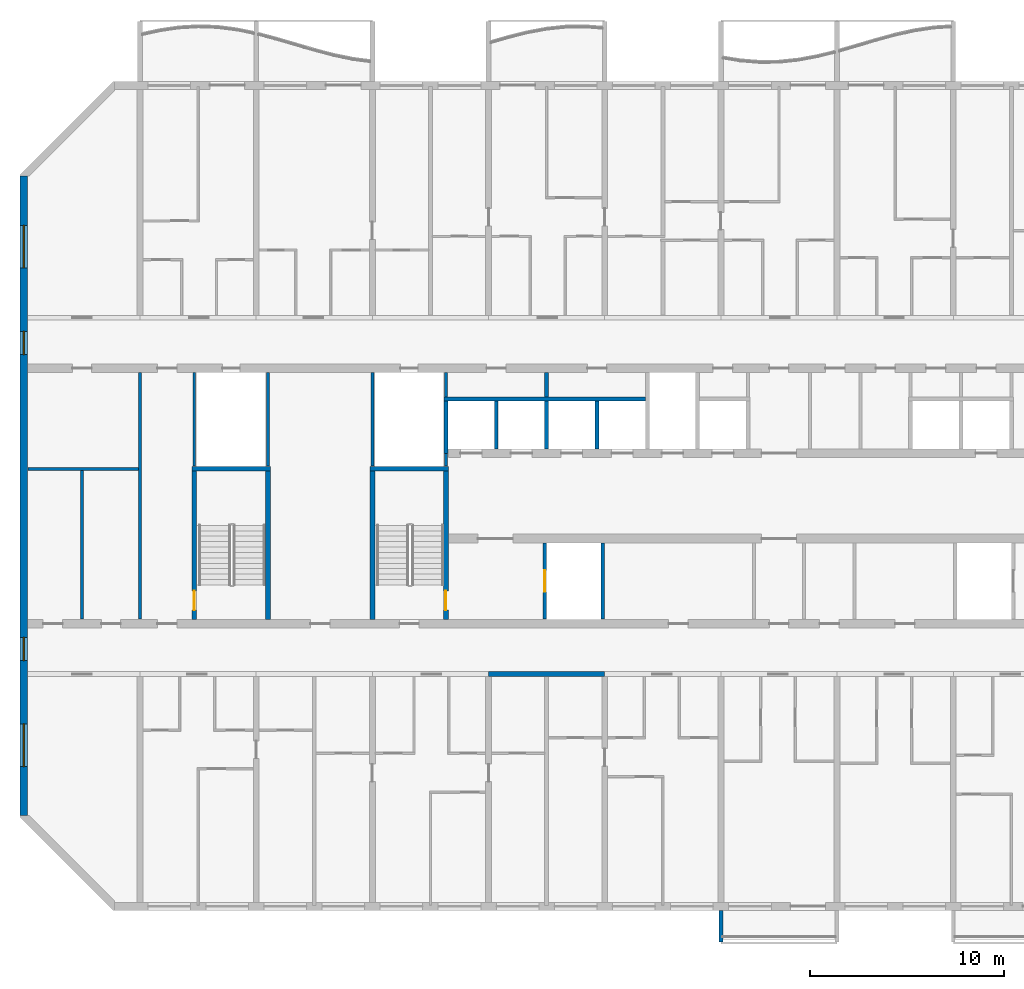
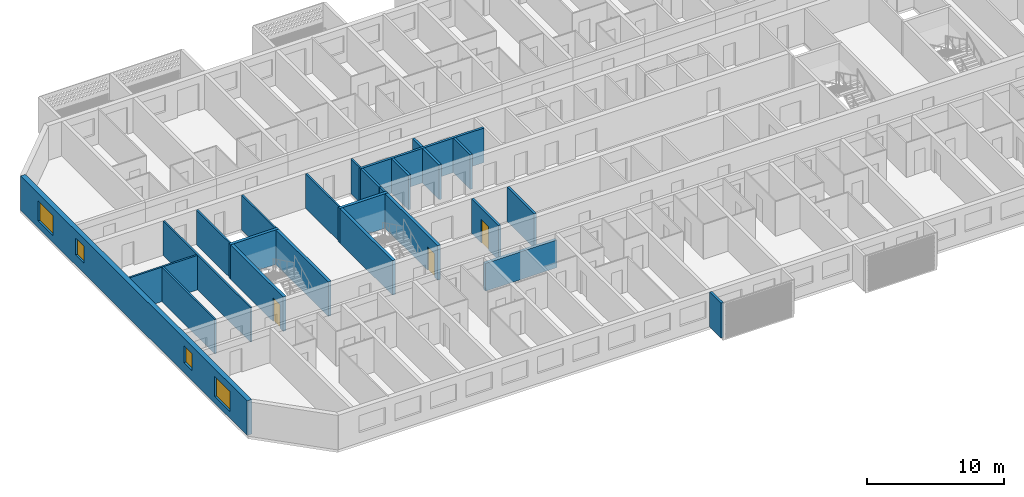
# One storey, part 3 of 31: 25 walls, 4 windows, 3 doors, 7 openings.
"""IFC4 building model written with IfcOpenShell, lengths in metres."""

import ifcopenshell
import ifcopenshell.guid

model = None  # the IFC model being written
_history = None  # IfcOwnerHistory: only IFC2X3 demands one
_inside = {}  # id of a spatial element -> (the spatial element, [elements in it])
_under = {}  # id of a project, library or spatial element -> (it, [spatial elements below it])
_declared = {}  # id of a project -> (the project, [libraries it declares])
_typed = {}  # id of a type object -> (the type object, [elements of that type])
_made_of = {}  # id of a material, layer set ... -> (it, [elements and type objects made of it])


def new_model(schema):
    """Start an empty IFC model of exactly this schema.

    Asked for "IFC4X3", IfcOpenShell would pick the latest addendum, in which some entities
    have other attributes; the version numbers below select the first issue.
    IFC2X3 requires an IfcOwnerHistory on every rooted entity: one is made here for all.
    """
    global model, _history
    if schema == "IFC4X3":
        model = ifcopenshell.file(schema_version=(4, 3, 0, 0))
    else:
        model = ifcopenshell.file(schema=schema)
    _inside.clear()
    _under.clear()
    _declared.clear()
    _typed.clear()
    _made_of.clear()
    _history = None
    if model.schema == "IFC2X3":
        org = make("IfcOrganization", Name="unknown")
        user = make(
            "IfcPersonAndOrganization",
            ThePerson=make("IfcPerson", FamilyName="unknown"),
            TheOrganization=org,
        )
        app = make(
            "IfcApplication",
            ApplicationDeveloper=org,
            Version="unknown",
            ApplicationFullName="unknown",
            ApplicationIdentifier="unknown",
        )
        _history = make(
            "IfcOwnerHistory",
            OwningUser=user,
            OwningApplication=app,
            ChangeAction="ADDED",
            CreationDate=0,
        )
    return model


def make(cls, **values):
    """One entity of the class cls with the attributes given. An attribute that is None is left unset."""
    return model.create_entity(
        cls, **{name: value for name, value in values.items() if value is not None}
    )


def rooted(cls, **values):
    """An entity with a GlobalId (a new one), such as an element, a storey or a relation."""
    return make(cls, GlobalId=ifcopenshell.guid.new(), OwnerHistory=_history, **values)


def si_unit(unit_type, name, prefix=None):
    """IfcSIUnit, for example si_unit("LENGTHUNIT", "METRE", prefix="MILLI")."""
    return make("IfcSIUnit", UnitType=unit_type, Prefix=prefix, Name=name)


def assignment(units):
    """IfcUnitAssignment: the units of a project."""
    return None if units is None else make("IfcUnitAssignment", Units=units)


def point(xyz):
    """IfcCartesianPoint."""
    return None if xyz is None else make("IfcCartesianPoint", Coordinates=xyz)


def direction(xyz):
    """IfcDirection."""
    return None if xyz is None else make("IfcDirection", DirectionRatios=xyz)


def frame(location, z_axis=None, x_axis=None):
    """IfcAxis2Placement3D, a coordinate frame: its origin and axes. An axis left out is left unset."""
    return make(
        "IfcAxis2Placement3D",
        Location=point(location),
        Axis=direction(z_axis),
        RefDirection=direction(x_axis),
    )


def frame_2d(location, x_axis=None):
    """IfcAxis2Placement2D, a coordinate frame in the plane: its origin and x axis."""
    return make(
        "IfcAxis2Placement2D", Location=point(location), RefDirection=direction(x_axis)
    )


def origin():
    """The frame at (0, 0, 0) with its axes left unset."""
    return frame((0.0, 0.0, 0.0))


def place(relative_to, where):
    """IfcLocalPlacement: puts the frame where relative to a parent placement (None: the world)."""
    return make(
        "IfcLocalPlacement", PlacementRelTo=relative_to, RelativePlacement=where
    )


def context(
    kind, dimensions, precision=None, world=None, true_north=None, identifier=None
):
    """IfcGeometricRepresentationContext, for example the 3D "Model" context."""
    return make(
        "IfcGeometricRepresentationContext",
        ContextIdentifier=identifier,
        ContextType=kind,
        CoordinateSpaceDimension=dimensions,
        Precision=precision,
        WorldCoordinateSystem=world,
        TrueNorth=true_north,
    )


def subcontext(parent, identifier, kind, view, scale=None):
    """IfcGeometricRepresentationSubContext, for example "Body" below "Model"."""
    return make(
        "IfcGeometricRepresentationSubContext",
        ContextIdentifier=identifier,
        ContextType=kind,
        ParentContext=parent,
        TargetScale=scale,
        TargetView=view,
    )


def project(units=None, contexts=None):
    """IfcProject with its units and contexts."""
    return rooted(
        "IfcProject",
        Name="project",
        RepresentationContexts=contexts,
        UnitsInContext=assignment(units),
    )


def spatial(cls, under=None, at=None, **own):
    """A site, building, storey or space (cls), placed at a placement, below another one or the project."""
    s = rooted(cls, ObjectPlacement=at, **own)
    if under is not None:
        _under.setdefault(under.id(), (under, []))[1].append(s)
    return s


def polyline(points):
    """IfcPolyline through the points."""
    return make("IfcPolyline", Points=[point(p) for p in points])


def profile(cls, at=None, kind="AREA", **sizes):
    """A parametric profile (cls). Its sizes go by their IFC names, for example OverallWidth=200.0."""
    return make(cls, ProfileType=kind, Position=at, **sizes)


def rectangle(**sizes):
    """IfcRectangleProfileDef."""
    return profile("IfcRectangleProfileDef", **sizes)


def outline(outer, holes=None, kind="AREA"):
    """IfcArbitraryClosedProfileDef: a profile drawn as a closed curve; with holes, ...WithVoids."""
    if holes is None:
        return make("IfcArbitraryClosedProfileDef", ProfileType=kind, OuterCurve=outer)
    return make(
        "IfcArbitraryProfileDefWithVoids",
        ProfileType=kind,
        OuterCurve=outer,
        InnerCurves=holes,
    )


def extrude(swept, where, along, depth):
    """IfcExtrudedAreaSolid: the profile swept, set in the frame where, extruded along a direction by depth."""
    return make(
        "IfcExtrudedAreaSolid",
        SweptArea=swept,
        Position=where,
        ExtrudedDirection=direction(along),
        Depth=depth,
    )


def shape(context_of_items, identifier, shape_type, items):
    """IfcShapeRepresentation: the items that make up one representation, for example the "Body"."""
    return make(
        "IfcShapeRepresentation",
        ContextOfItems=context_of_items,
        RepresentationIdentifier=identifier,
        RepresentationType=shape_type,
        Items=items,
    )


def source(mapping_origin, context_of_items, identifier, shape_type, items):
    """IfcRepresentationMap: a shape defined once, which mapped items show again and again."""
    return make(
        "IfcRepresentationMap",
        MappingOrigin=mapping_origin,
        MappedRepresentation=shape(context_of_items, identifier, shape_type, items),
    )


def transform(
    local_origin,
    x_axis=None,
    y_axis=None,
    z_axis=None,
    scale=None,
    scale2=None,
    scale3=None,
    uniform=True,
):
    """IfcCartesianTransformationOperator3D, or its non-uniform kind. x_axis, y_axis, z_axis: its Axis1, 2, 3."""
    if uniform:
        return make(
            "IfcCartesianTransformationOperator3D",
            Axis1=direction(x_axis),
            Axis2=direction(y_axis),
            LocalOrigin=point(local_origin),
            Scale=scale,
            Axis3=direction(z_axis),
        )
    return make(
        "IfcCartesianTransformationOperator3DnonUniform",
        Axis1=direction(x_axis),
        Axis2=direction(y_axis),
        LocalOrigin=point(local_origin),
        Scale=scale,
        Axis3=direction(z_axis),
        Scale2=scale2,
        Scale3=scale3,
    )


def mapped(mapping_source, mapping_target):
    """IfcMappedItem: shows the shape of a source again, moved by a transform."""
    return make(
        "IfcMappedItem", MappingSource=mapping_source, MappingTarget=mapping_target
    )


def material(Name=None, Category=None):
    """IfcMaterial."""
    return make("IfcMaterial", Name=Name, Category=Category)


def layer(
    of_material, thickness, ventilated=None, Name=None, Category=None, Priority=None
):
    """IfcMaterialLayer: one layer of a wall or slab, of a material (None: an air gap)."""
    return make(
        "IfcMaterialLayer",
        Material=of_material,
        LayerThickness=thickness,
        IsVentilated=ventilated,
        Name=Name,
        Category=Category,
        Priority=Priority,
    )


def layer_set(layers, Name=None):
    """IfcMaterialLayerSet."""
    return make("IfcMaterialLayerSet", MaterialLayers=layers, LayerSetName=Name)


def made_of(thing, what):
    """Note that an element or type object is made of a material, layer set ...; save() writes the relation."""
    if what is not None:
        _made_of.setdefault(what.id(), (what, []))[1].append(thing)
    return thing


def type_object(cls, material=None, **own):
    """A type object (cls), such as IfcWallType, which elements share."""
    return made_of(rooted(cls, **own), material)


def element(
    cls,
    number,
    at=None,
    inside=None,
    cuts=None,
    type_object=None,
    material=None,
    context=None,
    identifier="Body",
    shape_type=None,
    held_by="IfcProductDefinitionShape",
    body=None,
    shapes=None,
    **own,
):
    """One element of the class cls, such as IfcWall. Its Tag is "e" and its number.

    at: its placement. inside: the storey or other place that contains it. cuts: it is an
    opening in that element (IfcRelVoidsElement). A single representation is given by context,
    identifier, shape_type and body (its items); several are given by shapes. held_by: the class
    of the entity that holds the representations. save() writes the other relations.
    """
    e = rooted(cls, Tag="e%d" % number, ObjectPlacement=at, **own)
    if body is not None:
        shapes = [shape(context, identifier, shape_type, body)]
    if shapes is not None:
        e.Representation = make(held_by, Representations=shapes)
    if inside is not None:
        _inside.setdefault(inside.id(), (inside, []))[1].append(e)
    if cuts is not None:
        rooted(
            "IfcRelVoidsElement", RelatingBuildingElement=cuts, RelatedOpeningElement=e
        )
    if type_object is not None:
        _typed.setdefault(type_object.id(), (type_object, []))[1].append(e)
    return made_of(e, material)


def fill(opening, filler):
    """IfcRelFillsElement: the door or window that sits in an opening."""
    return rooted(
        "IfcRelFillsElement",
        RelatingOpeningElement=opening,
        RelatedBuildingElement=filler,
    )


def aggregate(whole, parts):
    """IfcRelAggregates: a whole, such as a stair, and the parts it consists of."""
    return rooted("IfcRelAggregates", RelatingObject=whole, RelatedObjects=parts)


def save(model, path):
    """Write the relations noted so far, then the file.

    IfcRelAggregates (storeys below a building ...), IfcRelContainedInSpatialStructure (elements
    in a storey), IfcRelDefinesByType, IfcRelAssociatesMaterial and IfcRelDeclares: one each for
    every whole, place, type object, material and project.
    """
    for whole, parts in _under.values():
        aggregate(whole, parts)
    for where, things in _inside.values():
        rooted(
            "IfcRelContainedInSpatialStructure",
            RelatedElements=things,
            RelatingStructure=where,
        )
    for kind, things in _typed.values():
        rooted("IfcRelDefinesByType", RelatedObjects=things, RelatingType=kind)
    for what, things in _made_of.values():
        rooted("IfcRelAssociatesMaterial", RelatedObjects=things, RelatingMaterial=what)
    for by, libraries in _declared.values():
        rooted("IfcRelDeclares", RelatingContext=by, RelatedDefinitions=libraries)
    model.write(path)


model = new_model("IFC4")

# Units and contexts
model_context = context("Model", 3, precision=1e-05, world=origin(), true_north=direction((0.0, 1.0)))
body_context = subcontext(model_context, "Body", "Model", "MODEL_VIEW")
ifc_project = project(units=[si_unit("LENGTHUNIT", "METRE"), si_unit("AREAUNIT", "SQUARE_METRE"), si_unit("VOLUMEUNIT", "CUBIC_METRE"), si_unit("PLANEANGLEUNIT", "RADIAN"), si_unit("MASSUNIT", "GRAM", prefix="KILO")], contexts=[model_context])

# Site, building, storey
site_placement = place(None, origin())
site = spatial("IfcSite", under=ifc_project, at=site_placement, CompositionType="ELEMENT")
building_placement = place(site_placement, origin())
building = spatial("IfcBuilding", under=site, at=building_placement, Name="Poui Terraces", CompositionType="ELEMENT")
storey_placement = place(building_placement, frame((0.0, 0.0, 142.199951171875)))
storey = spatial("IfcBuildingStorey", under=building, at=storey_placement, Name="L39", CompositionType="ELEMENT", Elevation=142.199951171875)

# Walls
ifc_material_1 = material(Name="Fire-rated plasterboard wall")
ifc_layer_1 = layer(ifc_material_1, 0.14990234375)
ifc_layer_set_1 = layer_set([ifc_layer_1], Name="Fire-rated plasterboard wall")
wall_type_1 = type_object("IfcWallType", Name="CORRIDOR WALL 150", PredefinedType="PARTITIONING", material=ifc_layer_set_1)
wall_1_placement = place(storey_placement, frame((18.0, 14.8349609375, 0.0), z_axis=(0.0, 0.0, 1.0), x_axis=(0.0, 1.0, 0.0)))
element("IfcWall", 1, at=wall_1_placement, inside=storey, type_object=wall_type_1, Name="CORRIDOR WALL 150", PredefinedType="PARTITIONING", context=body_context, shape_type="SweptSolid", body=[
    extrude(rectangle(XDim=12.72998046875, YDim=0.14990234375, at=frame_2d((6.364990234375, 0.0))), origin(), (0.0, 0.0, 1.0), 3.070068359375),
])
ifc_material_2 = material(Name="Concrete 65 MPa", Category="concrete")
ifc_layer_2 = layer(ifc_material_2, 0.25)
ifc_layer_set_2 = layer_set([ifc_layer_2], Name="Concrete 65 MPa")
wall_type_2 = type_object("IfcWallType", Name="CORRIDOR WALL 250 65MPa", PredefinedType="SHEAR", material=ifc_layer_set_2)
wall_2_placement = place(storey_placement, frame((36.0, 12.0, 0.0), z_axis=(0.0, 0.0, 1.0), x_axis=(1.0, 0.0, 0.0)))
element("IfcWall", 2, at=wall_2_placement, inside=storey, type_object=wall_type_2, Name="CORRIDOR WALL LINE B BAY 5", PredefinedType="SHEAR", context=body_context, shape_type="SweptSolid", body=[
    extrude(rectangle(XDim=6.0, YDim=0.25, at=frame_2d((3.0, 0.0))), origin(), (0.0, 0.0, 1.0), 2.469970703125),
])

# Wall, openings, windows
ifc_layer_3 = layer(ifc_material_2, 0.39990234375)
ifc_layer_set_3 = layer_set([ifc_layer_3], Name="Concrete 65 MPa")
wall_type_3 = type_object("IfcWallType", Name="END WALL 400 65MPa", PredefinedType="SHEAR", material=ifc_layer_set_3)
wall_3_placement = place(storey_placement, frame((12.0, 4.682861328125, 0.0), z_axis=(0.0, 0.0, 1.0), x_axis=(0.0, 1.0, 0.0)))
wall_3 = element("IfcWall", 3, at=wall_3_placement, inside=storey, type_object=wall_type_3, Name="END WALL WEST", PredefinedType="SHEAR", context=body_context, shape_type="SweptSolid", body=[
    extrude(rectangle(XDim=33.034423828125, YDim=0.39990234375, at=frame_2d((16.51708984375, 0.0))), origin(), (0.0, 0.0, 1.0), 3.070068359375),
])
opening_1_placement = place(wall_3_placement, frame((23.817138671875, 0.0, 0.89990234375)))
opening_1 = element("IfcOpeningElement", 4, at=opening_1_placement, cuts=wall_3, Name="Opening W2", PredefinedType="OPENING", context=body_context, shape_type="SweptSolid", body=[
    extrude(rectangle(XDim=1.199951171875, YDim=1.5, at=frame_2d((0.60009765625, 0.75))), frame((0.0, 0.2099609375, 0.0), z_axis=(0.0, -1.0, 0.0), x_axis=(1.0, 0.0, 0.0)), (0.0, 0.0, 1.0), 0.419921875),
])
opening_2_placement = place(wall_3_placement, frame((8.01708984375, 0.0, 0.89990234375)))
opening_2 = element("IfcOpeningElement", 5, at=opening_2_placement, cuts=wall_3, Name="Opening W2", PredefinedType="OPENING", context=body_context, shape_type="SweptSolid", body=[
    extrude(rectangle(XDim=1.199951171875, YDim=1.5, at=frame_2d((0.60009765625, 0.75))), frame((0.0, 0.2099609375, 0.0), z_axis=(0.0, -1.0, 0.0), x_axis=(1.0, 0.0, 0.0)), (0.0, 0.0, 1.0), 0.419921875),
])
opening_3_placement = place(wall_3_placement, frame((28.29345703125, 0.0, 0.60009765625)))
opening_3 = element("IfcOpeningElement", 6, at=opening_3_placement, cuts=wall_3, Name="Opening W3", PredefinedType="OPENING", context=body_context, shape_type="SweptSolid", body=[
    extrude(rectangle(XDim=2.199951171875, YDim=1.800048828125, at=frame_2d((1.10009765625, 0.89990234375))), frame((0.0, 0.2099609375, 0.0), z_axis=(0.0, -1.0, 0.0), x_axis=(1.0, 0.0, 0.0)), (0.0, 0.0, 1.0), 0.419921875),
])
opening_4_placement = place(wall_3_placement, frame((2.541015625, 0.0, 0.60009765625)))
opening_4 = element("IfcOpeningElement", 7, at=opening_4_placement, cuts=wall_3, Name="Opening W3", PredefinedType="OPENING", context=body_context, shape_type="SweptSolid", body=[
    extrude(rectangle(XDim=2.199951171875, YDim=1.800048828125, at=frame_2d((1.10009765625, 0.89990234375))), frame((0.0, 0.2099609375, 0.0), z_axis=(0.0, -1.0, 0.0), x_axis=(1.0, 0.0, 0.0)), (0.0, 0.0, 1.0), 0.419921875),
])
ifc_material_3 = material(Name="Clear glass in aluminium frame", Category="aluminium")
window_type_1 = type_object("IfcWindowType", Name="WINDOW 1200X1500", PartitioningType="SINGLE_PANEL", PredefinedType="WINDOW", material=ifc_material_3)
window_1_placement = place(opening_1_placement, origin())
window_1 = element("IfcWindow", 8, at=window_1_placement, inside=storey, type_object=window_type_1, Name="W2 WINDOW", OverallHeight=1.5, OverallWidth=1.199951171875, PartitioningType="SINGLE_PANEL", PredefinedType="WINDOW", context=body_context, shape_type="SweptSolid", body=[
    extrude(rectangle(XDim=1.199951171875, YDim=1.5, at=frame_2d((0.60009765625, 0.75))), frame((0.0, 0.030029296875, 0.0), z_axis=(0.0, -1.0, 0.0), x_axis=(1.0, 0.0, 0.0)), (0.0, 0.0, 1.0), 0.06005859375),
])
fill(opening_1, window_1)
window_2_placement = place(opening_2_placement, origin())
window_2 = element("IfcWindow", 9, at=window_2_placement, inside=storey, type_object=window_type_1, Name="W2 WINDOW", OverallHeight=1.5, OverallWidth=1.199951171875, PartitioningType="SINGLE_PANEL", PredefinedType="WINDOW", context=body_context, shape_type="SweptSolid", body=[
    extrude(rectangle(XDim=1.199951171875, YDim=1.5, at=frame_2d((0.60009765625, 0.75))), frame((0.0, 0.030029296875, 0.0), z_axis=(0.0, -1.0, 0.0), x_axis=(1.0, 0.0, 0.0)), (0.0, 0.0, 1.0), 0.06005859375),
])
fill(opening_2, window_2)
window_type_2 = type_object("IfcWindowType", Name="WINDOW 2200X1800", PartitioningType="DOUBLE_PANEL_HORIZONTAL", PredefinedType="WINDOW", material=ifc_material_3)
window_3_placement = place(opening_3_placement, origin())
window_3 = element("IfcWindow", 10, at=window_3_placement, inside=storey, type_object=window_type_2, Name="W3 WINDOW", OverallHeight=1.800048828125, OverallWidth=2.199951171875, PartitioningType="DOUBLE_PANEL_HORIZONTAL", PredefinedType="WINDOW", context=body_context, shape_type="SweptSolid", body=[
    extrude(rectangle(XDim=2.199951171875, YDim=1.800048828125, at=frame_2d((1.10009765625, 0.89990234375))), frame((0.0, 0.030029296875, 0.0), z_axis=(0.0, -1.0, 0.0), x_axis=(1.0, 0.0, 0.0)), (0.0, 0.0, 1.0), 0.06005859375),
])
fill(opening_3, window_3)
window_4_placement = place(opening_4_placement, origin())
window_4 = element("IfcWindow", 11, at=window_4_placement, inside=storey, type_object=window_type_2, Name="W3 WINDOW", OverallHeight=1.800048828125, OverallWidth=2.199951171875, PartitioningType="DOUBLE_PANEL_HORIZONTAL", PredefinedType="WINDOW", context=body_context, shape_type="SweptSolid", body=[
    extrude(rectangle(XDim=2.199951171875, YDim=1.800048828125, at=frame_2d((1.10009765625, 0.89990234375))), frame((0.0, 0.030029296875, 0.0), z_axis=(0.0, -1.0, 0.0), x_axis=(1.0, 0.0, 0.0)), (0.0, 0.0, 1.0), 0.06005859375),
])
fill(opening_4, window_4)

# Walls
ifc_material_4 = material(Name="Plasterboard partition")
ifc_layer_4 = layer(ifc_material_4, 0.14990234375)
ifc_layer_set_4 = layer_set([ifc_layer_4], Name="Plasterboard partition")
wall_type_4 = type_object("IfcWallType", Name="PARTITION WALL 150", PredefinedType="PARTITIONING", material=ifc_layer_set_4)
wall_4_placement = place(storey_placement, frame((12.2099609375, 22.60009765625, 0.0), z_axis=(0.0, 0.0, 1.0), x_axis=(1.0, 0.0, 0.0)))
element("IfcWall", 12, at=wall_4_placement, inside=storey, type_object=wall_type_4, Name="PARTITION WALL 150", PredefinedType="PARTITIONING", context=body_context, shape_type="SweptSolid", body=[
    extrude(rectangle(XDim=5.715087890625, YDim=0.14990234375, at=frame_2d((2.857421875, 0.0))), origin(), (0.0, 0.0, 1.0), 3.070068359375),
])
wall_5_placement = place(storey_placement, frame((15.0, 14.8349609375, 0.0), z_axis=(0.0, 0.0, 1.0), x_axis=(0.0, 1.0, 0.0)))
element("IfcWall", 13, at=wall_5_placement, inside=storey, type_object=wall_type_4, Name="PARTITION WALL 150", PredefinedType="PARTITIONING", context=body_context, shape_type="SweptSolid", body=[
    extrude(rectangle(XDim=7.68994140625, YDim=0.14990234375, at=frame_2d((3.844970703125, 0.0))), origin(), (0.0, 0.0, 1.0), 3.070068359375),
])
ifc_material_5 = material(Name="Fire-rated masonry wall", Category="masonry")
ifc_layer_5 = layer(ifc_material_5, 0.199951171875)
ifc_layer_set_5 = layer_set([ifc_layer_5], Name="Fire-rated masonry wall")
wall_type_5 = type_object("IfcWallType", Name="PLANT ROOM WALL 200", PredefinedType="PARTITIONING", material=ifc_layer_set_5)
wall_6_placement = place(storey_placement, frame((39.0, 26.300048828125, 0.0), z_axis=(0.0, 0.0, 1.0), x_axis=(0.0, 1.0, 0.0)))
element("IfcWall", 14, at=wall_6_placement, inside=storey, type_object=wall_type_5, Name="PLANT ROOM WALL 200", PredefinedType="PARTITIONING", context=body_context, shape_type="SweptSolid", body=[
    extrude(rectangle(XDim=1.264892578125, YDim=0.199951171875, at=frame_2d((0.63232421875, 0.0))), origin(), (0.0, 0.0, 1.0), 3.070068359375),
])
ifc_material_6 = material(Name="Fire-rated plasterboard riser wall")
ifc_layer_6 = layer(ifc_material_6, 0.14990234375)
ifc_layer_set_6 = layer_set([ifc_layer_6], Name="Fire-rated plasterboard riser wall")
wall_type_6 = type_object("IfcWallType", Name="RISER WALL 150", PredefinedType="PARTITIONING", material=ifc_layer_set_6)
for number, where, z_axis, x_axis, name in (
    (15, (20.800048828125, 22.735107421875, 0.0), (0.0, 0.0, 1.0), (0.0, 1.0, 0.0), "RISER WALL 150"),
    (16, (24.60009765625, 22.735107421875, 0.0), (0.0, 0.0, 1.0), (0.0, 1.0, 0.0), "RISER WALL 150"),
    (17, (30.0, 22.735107421875, 0.0), (0.0, 0.0, 1.0), (0.0, 1.0, 0.0), "RISER WALL 150"),
):
    element("IfcWall", number, at=place(storey_placement, frame(where, z_axis=z_axis, x_axis=x_axis)), inside=storey, type_object=wall_type_6, Name=name, PredefinedType="PARTITIONING", context=body_context, shape_type="SweptSolid", body=[
        extrude(rectangle(XDim=4.829833984375, YDim=0.14990234375, at=frame_2d((2.4150390625, 0.0))), origin(), (0.0, 0.0, 1.0), 3.070068359375),
    ])
wall_7_placement = place(storey_placement, frame((33.800048828125, 22.735107421875, 0.0), z_axis=(0.0, 0.0, 1.0), x_axis=(0.0, 1.0, 0.0)))
element("IfcWall", 18, at=wall_7_placement, inside=storey, type_object=wall_type_6, Name="RISER WALL 150", PredefinedType="PARTITIONING", context=body_context, shape_type="SweptSolid", body=[
    extrude(rectangle(XDim=0.664794921875, YDim=0.14990234375, at=frame_2d((0.33251953125, 0.0))), origin(), (0.0, 0.0, 1.0), 3.070068359375),
])
wall_8_placement = place(storey_placement, frame((33.800048828125, 26.300048828125, 0.0), z_axis=(0.0, 0.0, 1.0), x_axis=(0.0, 1.0, 0.0)))
element("IfcWall", 19, at=wall_8_placement, inside=storey, type_object=wall_type_6, Name="RISER WALL 150", PredefinedType="PARTITIONING", context=body_context, shape_type="SweptSolid", body=[
    extrude(rectangle(XDim=1.264892578125, YDim=0.14990234375, at=frame_2d((0.63232421875, 0.0))), origin(), (0.0, 0.0, 1.0), 3.070068359375),
])
ifc_material_7 = material(Name="Fire-rated masonry shaft wall", Category="masonry")
ifc_layer_7 = layer(ifc_material_7, 0.199951171875)
ifc_layer_set_7 = layer_set([ifc_layer_7], Name="Fire-rated masonry shaft wall")
wall_type_7 = type_object("IfcWallType", Name="SHAFT WALL 200", PredefinedType="PARTITIONING", material=ifc_layer_set_7)
wall_9_placement = place(storey_placement, frame((33.699951171875, 26.199951171875, 0.0), z_axis=(0.0, 0.0, 1.0), x_axis=(1.0, 0.0, 0.0)))
element("IfcWall", 20, at=wall_9_placement, inside=storey, type_object=wall_type_7, Name="SHAFT WALL 200", PredefinedType="PARTITIONING", context=body_context, shape_type="SweptSolid", body=[
    extrude(rectangle(XDim=10.400146484375, YDim=0.199951171875, at=frame_2d((5.2001953125, 0.0))), origin(), (0.0, 0.0, 1.0), 3.070068359375),
])
wall_10_placement = place(storey_placement, frame((33.800048828125, 23.39990234375, 0.0), z_axis=(0.0, 0.0, 1.0), x_axis=(0.0, 1.0, 0.0)))
element("IfcWall", 21, at=wall_10_placement, inside=storey, type_object=wall_type_7, Name="SHAFT WALL 200", PredefinedType="PARTITIONING", context=body_context, shape_type="SweptSolid", body=[
    extrude(rectangle(XDim=2.7001953125, YDim=0.199951171875, at=frame_2d((1.35009765625, 0.0))), origin(), (0.0, 0.0, 1.0), 3.070068359375),
])
wall_11_placement = place(storey_placement, frame((36.39990234375, 23.635009765625, 0.0), z_axis=(0.0, 0.0, 1.0), x_axis=(0.0, 1.0, 0.0)))
element("IfcWall", 22, at=wall_11_placement, inside=storey, type_object=wall_type_7, Name="SHAFT WALL 200", PredefinedType="PARTITIONING", context=body_context, shape_type="SweptSolid", body=[
    extrude(rectangle(XDim=2.465087890625, YDim=0.199951171875, at=frame_2d((1.232421875, 0.0))), origin(), (0.0, 0.0, 1.0), 3.070068359375),
])

# Wall, opening, door
wall_12_placement = place(storey_placement, frame((38.89990234375, 14.8349609375, 0.0), z_axis=(0.0, 0.0, 1.0), x_axis=(0.0, 1.0, 0.0)))
wall_12 = element("IfcWall", 23, at=wall_12_placement, inside=storey, type_object=wall_type_7, Name="SHAFT WALL 200", PredefinedType="PARTITIONING", context=body_context, shape_type="SweptSolid", body=[
    extrude(rectangle(XDim=3.929931640625, YDim=0.199951171875, at=frame_2d((1.96484375, 0.0))), origin(), (0.0, 0.0, 1.0), 3.070068359375),
])
opening_5_placement = place(wall_12_placement, frame((1.4150390625, 0.0, 0.0)))
opening_5 = element("IfcOpeningElement", 24, at=opening_5_placement, cuts=wall_12, Name="Opening LD", PredefinedType="OPENING", context=body_context, shape_type="SweptSolid", body=[
    extrude(rectangle(XDim=1.10009765625, YDim=2.10009765625, at=frame_2d((0.550048828125, 1.050048828125))), frame((0.0, 0.10986328125, 0.0), z_axis=(0.0, -1.0, 0.0), x_axis=(1.0, 0.0, 0.0)), (0.0, 0.0, 1.0), 0.219970703125),
])
ifc_material_8 = material(Name="Stainless steel sliding door", Category="steel")
door_type_1 = type_object("IfcDoorType", Name="LIFT LANDING DOOR 1100 X 2100", OperationType="DOUBLE_DOOR_SLIDING", PredefinedType="DOOR", material=ifc_material_8)
door_1_placement = place(opening_5_placement, origin())
door_1 = element("IfcDoor", 25, at=door_1_placement, inside=storey, type_object=door_type_1, Name="LANDING DOOR", OperationType="DOUBLE_DOOR_SLIDING", OverallHeight=2.10009765625, OverallWidth=1.10009765625, PredefinedType="DOOR", context=body_context, shape_type="SweptSolid", body=[
    extrude(rectangle(XDim=1.10009765625, YDim=2.10009765625, at=frame_2d((0.550048828125, 1.050048828125))), frame((0.0, 0.02490234375, 0.0), z_axis=(0.0, -1.0, 0.0), x_axis=(1.0, 0.0, 0.0)), (0.0, 0.0, 1.0), 0.050048828125),
])
fill(opening_5, door_1)

# Walls
for number, where, z_axis, x_axis, name in (
    (26, (39.0, 23.635009765625, 0.0), (0.0, 0.0, 1.0), (0.0, 1.0, 0.0), "SHAFT WALL 200"),
    (27, (41.60009765625, 23.635009765625, 0.0), (0.0, 0.0, 1.0), (0.0, 1.0, 0.0), "SHAFT WALL 200"),
):
    element("IfcWall", number, at=place(storey_placement, frame(where, z_axis=z_axis, x_axis=x_axis)), inside=storey, type_object=wall_type_7, Name=name, PredefinedType="PARTITIONING", context=body_context, shape_type="SweptSolid", body=[
        extrude(rectangle(XDim=2.465087890625, YDim=0.199951171875, at=frame_2d((1.232421875, 0.0))), origin(), (0.0, 0.0, 1.0), 3.070068359375),
    ])
wall_13_placement = place(storey_placement, frame((41.89990234375, 14.8349609375, 0.0), z_axis=(0.0, 0.0, 1.0), x_axis=(0.0, 1.0, 0.0)))
element("IfcWall", 28, at=wall_13_placement, inside=storey, type_object=wall_type_7, Name="SHAFT WALL 200", PredefinedType="PARTITIONING", context=body_context, shape_type="SweptSolid", body=[
    extrude(rectangle(XDim=3.929931640625, YDim=0.199951171875, at=frame_2d((1.96484375, 0.0))), origin(), (0.0, 0.0, 1.0), 3.070068359375),
])
ifc_layer_8 = layer(ifc_material_2, 0.25)
ifc_layer_set_8 = layer_set([ifc_layer_8], Name="Concrete 65 MPa")
wall_type_8 = type_object("IfcWallType", Name="STAIR CORE WALL 250 65 MPA", PredefinedType="SOLIDWALL", material=ifc_layer_set_8)
wall_14_placement = place(storey_placement, frame((30.0, 14.824951171875, 0.0), z_axis=(0.0, 0.0, 1.0), x_axis=(0.0, 1.0, 0.0)))
element("IfcWall", 29, at=wall_14_placement, inside=storey, type_object=wall_type_8, Name="STAIR CORE WALL", PredefinedType="SOLIDWALL", context=body_context, shape_type="SweptSolid", body=[
    extrude(rectangle(XDim=7.650146484375, YDim=0.25, at=frame_2d((3.8251953125, 0.0))), origin(), (0.0, 0.0, 1.0), 3.070068359375),
])

# Wall, opening, door
wall_15_placement = place(storey_placement, frame((33.800048828125, 14.824951171875, 0.0), z_axis=(0.0, 0.0, 1.0), x_axis=(0.0, 1.0, 0.0)))
wall_15 = element("IfcWall", 30, at=wall_15_placement, inside=storey, type_object=wall_type_8, Name="STAIR CORE WALL", PredefinedType="SOLIDWALL", context=body_context, shape_type="SweptSolid", body=[
    extrude(rectangle(XDim=7.650146484375, YDim=0.25, at=frame_2d((3.8251953125, 0.0))), origin(), (0.0, 0.0, 1.0), 3.070068359375),
])
opening_6_placement = place(wall_15_placement, frame((0.47509765625, 0.0, 0.0)))
opening_6 = element("IfcOpeningElement", 31, at=opening_6_placement, cuts=wall_15, Name="Opening FD60S", PredefinedType="OPENING", context=body_context, shape_type="SweptSolid", body=[
    extrude(rectangle(XDim=1.0, YDim=2.10009765625, at=frame_2d((0.5, 1.050048828125))), frame((0.0, 0.135009765625, 0.0), z_axis=(0.0, -1.0, 0.0), x_axis=(1.0, 0.0, 0.0)), (0.0, 0.0, 1.0), 0.27001953125),
])
ifc_material_9 = material(Name="Steel fire door", Category="steel")
door_type_2 = type_object("IfcDoorType", Name="STAIR DOOR 1000 X 2100", OperationType="NOTDEFINED", PredefinedType="DOOR", material=ifc_material_9)
door_2_placement = place(opening_6_placement, origin())
door_2 = element("IfcDoor", 32, at=door_2_placement, inside=storey, type_object=door_type_2, Name="STAIR DOOR 122", OperationType="SINGLE_SWING_LEFT", OverallHeight=2.10009765625, OverallWidth=1.0, PredefinedType="DOOR", context=body_context, shape_type="SweptSolid", body=[
    extrude(rectangle(XDim=1.0, YDim=2.10009765625, at=frame_2d((0.5, 1.050048828125))), frame((0.0, 0.02490234375, 0.0), z_axis=(0.0, -1.0, 0.0), x_axis=(1.0, 0.0, 0.0)), (0.0, 0.0, 1.0), 0.050048828125),
])
fill(opening_6, door_2)

# Wall
wall_16_placement = place(storey_placement, frame((29.875, 22.60009765625, 0.0), z_axis=(0.0, 0.0, 1.0), x_axis=(1.0, 0.0, 0.0)))
element("IfcWall", 33, at=wall_16_placement, inside=storey, type_object=wall_type_8, Name="STAIR CORE WALL", PredefinedType="SOLIDWALL", context=body_context, shape_type="SweptSolid", body=[
    extrude(rectangle(XDim=4.050048828125, YDim=0.25, at=frame_2d((2.02490234375, 0.0))), origin(), (0.0, 0.0, 1.0), 3.070068359375),
])

# Wall, opening, door
wall_17_placement = place(storey_placement, frame((20.800048828125, 14.824951171875, 0.0), z_axis=(0.0, 0.0, 1.0), x_axis=(0.0, 1.0, 0.0)))
wall_17 = element("IfcWall", 34, at=wall_17_placement, inside=storey, type_object=wall_type_8, Name="STAIR CORE WALL", PredefinedType="SOLIDWALL", context=body_context, shape_type="SweptSolid", body=[
    extrude(rectangle(XDim=7.650146484375, YDim=0.25, at=frame_2d((3.8251953125, 0.0))), origin(), (0.0, 0.0, 1.0), 3.070068359375),
])
opening_7_placement = place(wall_17_placement, frame((0.47509765625, 0.0, 0.0)))
opening_7 = element("IfcOpeningElement", 35, at=opening_7_placement, cuts=wall_17, Name="Opening FD60S", PredefinedType="OPENING", context=body_context, shape_type="SweptSolid", body=[
    extrude(rectangle(XDim=1.0, YDim=2.10009765625, at=frame_2d((0.5, 1.050048828125))), frame((0.0, 0.135009765625, 0.0), z_axis=(0.0, -1.0, 0.0), x_axis=(1.0, 0.0, 0.0)), (0.0, 0.0, 1.0), 0.27001953125),
])
door_3_placement = place(opening_7_placement, frame((1.0, 0.0, 0.0), z_axis=(0.0, 0.0, 1.0), x_axis=(-1.0, 0.0, 0.0)))
door_3 = element("IfcDoor", 36, at=door_3_placement, inside=storey, type_object=door_type_2, Name="STAIR DOOR 136", OperationType="SINGLE_SWING_RIGHT", OverallHeight=2.10009765625, OverallWidth=1.0, PredefinedType="DOOR", context=body_context, shape_type="SweptSolid", body=[
    extrude(rectangle(XDim=1.0, YDim=2.10009765625, at=frame_2d((0.5, 1.050048828125))), frame((0.0, 0.02490234375, 0.0), z_axis=(0.0, -1.0, 0.0), x_axis=(1.0, 0.0, 0.0)), (0.0, 0.0, 1.0), 0.050048828125),
])
fill(opening_7, door_3)

# Walls
wall_18_placement = place(storey_placement, frame((24.60009765625, 14.824951171875, 0.0), z_axis=(0.0, 0.0, 1.0), x_axis=(0.0, 1.0, 0.0)))
element("IfcWall", 37, at=wall_18_placement, inside=storey, type_object=wall_type_8, Name="STAIR CORE WALL", PredefinedType="SOLIDWALL", context=body_context, shape_type="SweptSolid", body=[
    extrude(rectangle(XDim=7.650146484375, YDim=0.25, at=frame_2d((3.8251953125, 0.0))), origin(), (0.0, 0.0, 1.0), 3.070068359375),
])
wall_19_placement = place(storey_placement, frame((20.675048828125, 22.60009765625, 0.0), z_axis=(0.0, 0.0, 1.0), x_axis=(1.0, 0.0, 0.0)))
element("IfcWall", 38, at=wall_19_placement, inside=storey, type_object=wall_type_8, Name="STAIR CORE WALL", PredefinedType="SOLIDWALL", context=body_context, shape_type="SweptSolid", body=[
    extrude(rectangle(XDim=4.050048828125, YDim=0.25, at=frame_2d((2.02490234375, 0.0))), origin(), (0.0, 0.0, 1.0), 3.070068359375),
])
ifc_material_10 = material(Name="Precast concrete 40 MPa", Category="concrete")
ifc_layer_9 = layer(ifc_material_10, 0.199951171875)
ifc_layer_set_9 = layer_set([ifc_layer_9], Name="Precast concrete 40 MPa")
wall_type_9 = type_object("IfcWallType", Name="REAR FIN 200", PredefinedType="STANDARD", material=ifc_layer_set_9)
shared_shape = source(origin(), body_context, "Body", "SweptSolid", [
    extrude(outline(polyline([(0.0, 0.0), (0.2001953125, 0.0), (0.2001953125, 1.650146484375), (0.0, 1.650146484375), (0.0, 0.0)])), origin(), (0.0, 0.0, 1.0), 3.10009765625),
])
wall_20_placement = place(storey_placement, frame((47.89990234375, -1.85009765625, 0.0)))
element("IfcWall", 39, at=wall_20_placement, inside=storey, type_object=wall_type_9, Name="REAR FIN", PredefinedType="STANDARD", context=body_context, shape_type="MappedRepresentation", body=[
    mapped(shared_shape, transform((0.0, 0.0, 0.0))),
])

save(model, "model.ifc")
